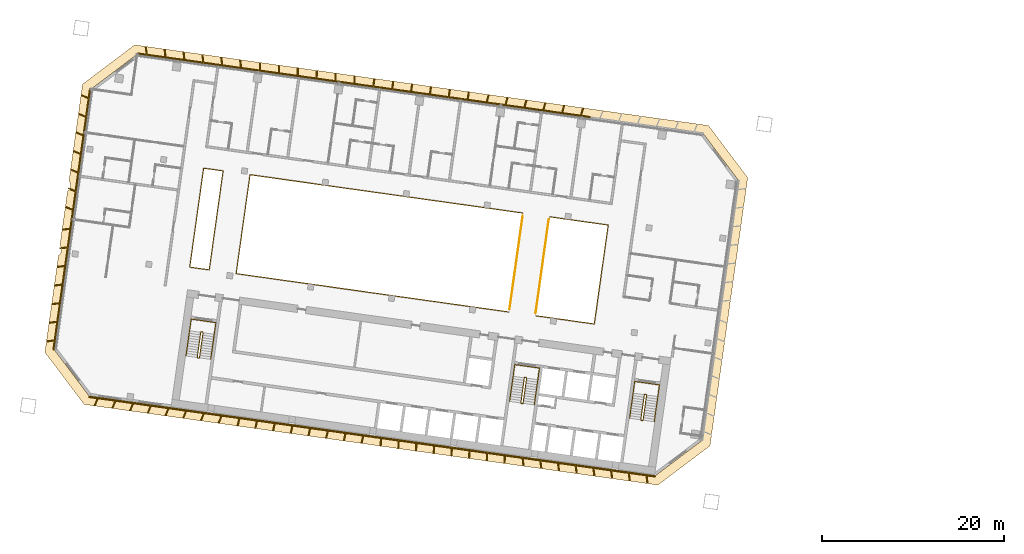
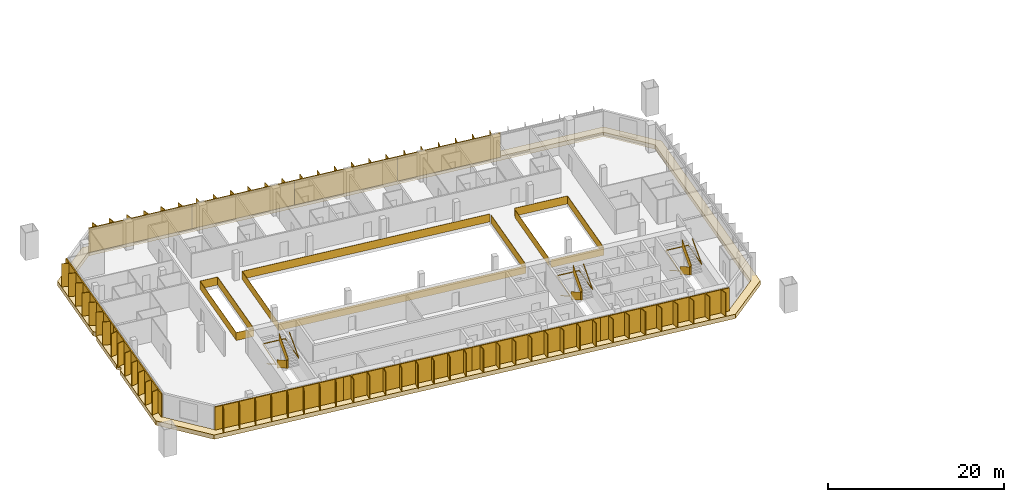
# One storey, part 24 of 26: 11 railings, 10 shading devices, 1 covering.
"""IFC4 building model written with IfcOpenShell, lengths in metres."""

from ifc_helpers import new_model, si_unit, direction, frame, origin, origin_2d, place, context, subcontext, project, spatial, polyline, rectangle, outline, extrude, material, layer, layer_set, type_object, element, save


model = new_model("IFC4")

# Units and contexts
model_context = context("Model", 3, precision=1e-05, world=origin(), true_north=direction((0.0, 1.0)))
body_context = subcontext(model_context, "Body", "Model", "MODEL_VIEW")
ifc_project = project(units=[si_unit("LENGTHUNIT", "METRE"), si_unit("AREAUNIT", "SQUARE_METRE"), si_unit("VOLUMEUNIT", "CUBIC_METRE"), si_unit("PLANEANGLEUNIT", "RADIAN"), si_unit("MASSUNIT", "GRAM", prefix="KILO")], contexts=[model_context])

# Site, building, storey
site_placement = place(None, origin())
site = spatial("IfcSite", under=ifc_project, at=site_placement, CompositionType="ELEMENT")
building_placement = place(site_placement, origin())
building = spatial("IfcBuilding", under=site, at=building_placement, Name="Mirante Cascada Hotel Towers", CompositionType="ELEMENT")
storey_placement = place(building_placement, frame((0.0, 0.0, 140.5)))
storey = spatial("IfcBuildingStorey", under=building, at=storey_placement, Name="L32", CompositionType="ELEMENT", Elevation=140.5)

# Railings
ifc_material_1 = material(Name="Toughened glass with stainless steel handrail", Category="steel")
railing_type_1 = type_object("IfcRailingType", Name="Atrium guard 1100 glass balustrade", PredefinedType="GUARDRAIL", material=ifc_material_1)
railing_1_placement = place(storey_placement, frame((-48.76, 8.3112, 0.0)))
element("IfcRailing", 1, at=railing_1_placement, inside=storey, type_object=railing_type_1, Name="GUARD 1-L32-1", PredefinedType="GUARDRAIL", context=body_context, shape_type="SweptSolid", body=[
    extrude(rectangle(XDim=0.048, YDim=0.048, at=origin_2d()), frame((0.0, 0.0, 1.076), z_axis=(0.9902694, -0.1391638, 0.0), x_axis=(0.1391638, 0.9902694, 0.0)), (0.0, 0.0, 1.0), 6.5125),
    extrude(rectangle(XDim=0.02, YDim=1.052, at=origin_2d()), frame((0.0, 0.0, 0.526), z_axis=(0.9902694, -0.1391638, 0.0), x_axis=(0.1391638, 0.9902694, 0.0)), (0.0, 0.0, 1.0), 6.5125),
    extrude(rectangle(XDim=0.048, YDim=0.048, at=origin_2d()), frame((6.4491, -0.9063, 1.076), z_axis=(-0.1391721, -0.9902682, 0.0), x_axis=(0.9902682, -0.1391721, 0.0)), (0.0, 0.0, 1.0), 11.0001),
    extrude(rectangle(XDim=0.02, YDim=1.052, at=origin_2d()), frame((6.4491, -0.9063, 0.526), z_axis=(-0.1391721, -0.9902682, 0.0), x_axis=(0.9902682, -0.1391721, 0.0)), (0.0, 0.0, 1.0), 11.0001),
    extrude(rectangle(XDim=0.048, YDim=0.048, at=origin_2d()), frame((4.9182, -11.7993, 1.076), z_axis=(-0.9902673, 0.1391788, 0.0), x_axis=(-0.1391788, -0.9902673, 0.0)), (0.0, 0.0, 1.0), 6.5125),
    extrude(rectangle(XDim=0.02, YDim=1.052, at=origin_2d()), frame((4.9182, -11.7993, 0.526), z_axis=(-0.9902673, 0.1391788, 0.0), x_axis=(-0.1391788, -0.9902673, 0.0)), (0.0, 0.0, 1.0), 6.5125),
])
railing_2_placement = place(storey_placement, frame((-53.2617, -2.1642, 0.0)))
element("IfcRailing", 2, at=railing_2_placement, inside=storey, type_object=railing_type_1, Name="GUARD 1-L32-2", PredefinedType="GUARDRAIL", context=body_context, shape_type="SweptSolid", body=[
    extrude(rectangle(XDim=0.048, YDim=0.048, at=origin_2d()), frame((0.0, 0.0, 1.076), z_axis=(-0.9902682, 0.1391722, 0.0), x_axis=(-0.1391722, -0.9902682, 0.0)), (0.0, 0.0, 1.0), 30.325),
    extrude(rectangle(XDim=0.02, YDim=1.052, at=origin_2d()), frame((0.0, 0.0, 0.526), z_axis=(-0.9902682, 0.1391722, 0.0), x_axis=(-0.1391722, -0.9902682, 0.0)), (0.0, 0.0, 1.0), 30.325),
    extrude(rectangle(XDim=0.048, YDim=0.048, at=origin_2d()), frame((-30.0299, 4.2204, 1.076), z_axis=(0.1391721, 0.9902682, 0.0), x_axis=(-0.9902682, 0.1391721, 0.0)), (0.0, 0.0, 1.0), 11.0001),
    extrude(rectangle(XDim=0.02, YDim=1.052, at=origin_2d()), frame((-30.0299, 4.2204, 0.526), z_axis=(0.1391721, 0.9902682, 0.0), x_axis=(-0.9902682, 0.1391721, 0.0)), (0.0, 0.0, 1.0), 11.0001),
    extrude(rectangle(XDim=0.048, YDim=0.048, at=origin_2d()), frame((-28.499, 15.1134, 1.076), z_axis=(0.9902682, -0.1391722, 0.0), x_axis=(0.1391722, 0.9902682, 0.0)), (0.0, 0.0, 1.0), 30.325),
    extrude(rectangle(XDim=0.02, YDim=1.052, at=origin_2d()), frame((-28.499, 15.1134, 0.526), z_axis=(0.9902682, -0.1391722, 0.0), x_axis=(0.1391722, 0.9902682, 0.0)), (0.0, 0.0, 1.0), 30.325),
])
railing_3_placement = place(storey_placement, frame((-86.2624, 2.4738, 0.0)))
element("IfcRailing", 3, at=railing_3_placement, inside=storey, type_object=railing_type_1, Name="GUARD 1-L32-3", PredefinedType="GUARDRAIL", context=body_context, shape_type="SweptSolid", body=[
    extrude(rectangle(XDim=0.048, YDim=0.048, at=origin_2d()), frame((0.0, 0.0, 1.076), z_axis=(-0.9902724, 0.1391422, 0.0), x_axis=(-0.1391422, -0.9902724, 0.0)), (0.0, 0.0, 1.0), 2.1625),
    extrude(rectangle(XDim=0.02, YDim=1.052, at=origin_2d()), frame((0.0, 0.0, 0.526), z_axis=(-0.9902724, 0.1391422, 0.0), x_axis=(-0.1391422, -0.9902724, 0.0)), (0.0, 0.0, 1.0), 2.1625),
    extrude(rectangle(XDim=0.048, YDim=0.048, at=origin_2d()), frame((-2.1415, 0.3009, 1.076), z_axis=(0.1391721, 0.9902682, 0.0), x_axis=(-0.9902682, 0.1391721, 0.0)), (0.0, 0.0, 1.0), 11.0001),
    extrude(rectangle(XDim=0.02, YDim=1.052, at=origin_2d()), frame((-2.1415, 0.3009, 0.526), z_axis=(0.1391721, 0.9902682, 0.0), x_axis=(-0.9902682, 0.1391721, 0.0)), (0.0, 0.0, 1.0), 11.0001),
    extrude(rectangle(XDim=0.048, YDim=0.048, at=origin_2d()), frame((-0.6106, 11.1939, 1.076), z_axis=(0.990266, -0.1391875, 0.0), x_axis=(0.1391875, 0.990266, 0.0)), (0.0, 0.0, 1.0), 2.1626),
    extrude(rectangle(XDim=0.02, YDim=1.052, at=origin_2d()), frame((-0.6106, 11.1939, 0.526), z_axis=(0.990266, -0.1391875, 0.0), x_axis=(0.1391875, 0.990266, 0.0)), (0.0, 0.0, 1.0), 2.1626),
    extrude(rectangle(XDim=0.048, YDim=0.048, at=origin_2d()), frame((1.5309, 10.8929, 1.076), z_axis=(-0.1391733, -0.990268, 0.0), x_axis=(0.990268, -0.1391733, 0.0)), (0.0, 0.0, 1.0), 11.0),
    extrude(rectangle(XDim=0.02, YDim=1.052, at=origin_2d()), frame((1.5309, 10.8929, 0.526), z_axis=(-0.1391733, -0.990268, 0.0), x_axis=(0.990268, -0.1391733, 0.0)), (0.0, 0.0, 1.0), 11.0),
])
railing_4_placement = place(storey_placement, frame((-53.172, -1.8782, 0.0)))
element("IfcRailing", 4, at=railing_4_placement, inside=storey, type_object=railing_type_1, Name="GUARD 1-L32-4", PredefinedType="GUARDRAIL", context=body_context, shape_type="SweptSolid", body=[
    extrude(rectangle(XDim=0.048, YDim=0.048, at=origin_2d()), frame((0.0, 0.0, 1.076), z_axis=(0.1391721, 0.9902682, 0.0), x_axis=(-0.9902682, 0.1391721, 0.0)), (0.0, 0.0, 1.0), 10.4087),
    extrude(rectangle(XDim=0.02, YDim=1.052, at=origin_2d()), frame((0.0, 0.0, 0.526), z_axis=(0.1391721, 0.9902682, 0.0), x_axis=(-0.9902682, 0.1391721, 0.0)), (0.0, 0.0, 1.0), 10.4087),
])
railing_5_placement = place(storey_placement, frame((-48.8497, 8.0253, 0.0)))
element("IfcRailing", 5, at=railing_5_placement, inside=storey, type_object=railing_type_1, Name="GUARD 1-L32-5", PredefinedType="GUARDRAIL", context=body_context, shape_type="SweptSolid", body=[
    extrude(rectangle(XDim=0.048, YDim=0.048, at=origin_2d()), frame((0.0, 0.0, 1.076), z_axis=(-0.1391708, -0.9902684, 0.0), x_axis=(0.9902684, -0.1391708, 0.0)), (0.0, 0.0, 1.0), 10.4088),
    extrude(rectangle(XDim=0.02, YDim=1.052, at=origin_2d()), frame((0.0, 0.0, 0.526), z_axis=(-0.1391708, -0.9902684, 0.0), x_axis=(0.9902684, -0.1391708, 0.0)), (0.0, 0.0, 1.0), 10.4088),
])

# Covering
ifc_material_2 = material(Name="Precast concrete C40/50 white", Category="concrete")
ifc_layer = layer(ifc_material_2, 0.6)
ifc_layer_set = layer_set([ifc_layer], Name="Precast concrete SUNSHADE band 1000x600")
covering_type = type_object("IfcCoveringType", Name="Precast concrete SUNSHADE band 1000x600", PredefinedType="CLADDING", material=ifc_layer_set)
covering_placement = place(storey_placement, frame((0.0, 0.0, -0.45)))
element("IfcCovering", 6, at=covering_placement, inside=storey, type_object=covering_type, Name="Precast concrete SUNSHADE band T1 L32", PredefinedType="CLADDING", context=body_context, shape_type="SweptSolid", body=[
    extrude(outline(polyline([(-104.3652, -6.6094), (-102.8625, 4.0834), (-102.8524, 4.0871), (-102.8101, 4.1077), (-102.7699, 4.1324), (-102.7324, 4.1609), (-102.6979, 4.1929), (-102.6667, 4.2282), (-102.639, 4.2664), (-102.6153, 4.307), (-102.5956, 4.3498), (-102.5803, 4.3944), (-102.5694, 4.4402), (-102.5257, 4.6737), (-102.5193, 4.7204), (-102.5176, 4.7674), (-102.5204, 4.8144), (-102.5279, 4.861), (-102.5398, 4.9065), (-102.5562, 4.9507), (-102.5768, 4.993), (-102.6015, 5.0332), (-102.63, 5.0707), (-102.662, 5.1052), (-102.6973, 5.1364), (-102.7129, 5.1477), (-101.8663, 11.1716), (-101.8482, 11.1781), (-101.8057, 11.1984), (-101.7654, 11.2228), (-101.7277, 11.251), (-101.6929, 11.2828), (-101.6614, 11.3178), (-101.6335, 11.3557), (-101.6094, 11.3962), (-101.5894, 11.4389), (-101.5737, 11.4833), (-101.5624, 11.529), (-101.5557, 11.5756), (-101.5333, 11.8121), (-101.5312, 11.8592), (-101.5337, 11.9062), (-101.5407, 11.9528), (-101.5524, 11.9984), (-101.5684, 12.0427), (-101.5887, 12.0852), (-101.6131, 12.1255), (-101.6413, 12.1633), (-101.673, 12.198), (-101.7081, 12.2295), (-101.7167, 12.2359), (-100.2139, 22.9287), (-94.4698, 27.2572), (-31.2626, 18.374), (-26.9341, 12.6299), (-31.0854, -16.9082), (-36.8295, -21.2367), (-100.0367, -12.3535), (-104.3652, -6.6094)]), holes=[polyline([(-27.982, 12.3589), (-31.8119, 17.4414), (-94.1988, 26.2093), (-99.2813, 22.3794), (-103.3173, -6.3384), (-99.4874, -11.4209), (-37.1005, -20.1888), (-32.018, -16.3589), (-27.982, 12.3589)])]), origin(), (0.0, 0.0, 1.0), 0.6),
])

# Railings
ifc_material_3 = material(Name="Painted steel", Category="steel")
railing_type_2 = type_object("IfcRailingType", Name="Stair guard 1100 steel balustrade", PredefinedType="GUARDRAIL", material=ifc_material_3)
railing_6_placement = place(storey_placement, frame((-38.1178, -11.2603, 0.0)))
element("IfcRailing", 7, at=railing_6_placement, inside=storey, type_object=railing_type_2, Name="L32 ST1-A stair guard 1", PredefinedType="GUARDRAIL", context=body_context, shape_type="SweptSolid", body=[
    extrude(rectangle(XDim=0.048, YDim=0.048, at=origin_2d()), frame((0.0, 0.0, 1.076), z_axis=(-0.9903326, 0.1387133, 0.0), x_axis=(-0.1387133, -0.9903326, 0.0)), (0.0, 0.0, 1.0), 0.1499),
    extrude(rectangle(XDim=0.02, YDim=1.052, at=origin_2d()), frame((0.0, 0.0, 0.526), z_axis=(-0.9903326, 0.1387133, 0.0), x_axis=(-0.1387133, -0.9903326, 0.0)), (0.0, 0.0, 1.0), 0.1499),
    extrude(rectangle(XDim=0.048, YDim=0.048, at=origin_2d()), frame((-0.1485, 0.0208, 1.076), z_axis=(-0.7991505, -0.6011309, 0.0), x_axis=(0.6011309, -0.7991505, 0.0)), (0.0, 0.9254529, 0.3788627), 0.1866),
    extrude(rectangle(XDim=0.02, YDim=1.052, at=origin_2d()), frame((-0.1485, 0.0208, 0.526), z_axis=(-0.7991505, -0.6011309, 0.0), x_axis=(0.6011309, -0.7991505, 0.0)), (0.0, 0.9254529, 0.3788627), 0.1866),
    extrude(rectangle(XDim=0.048, YDim=0.048, at=origin_2d()), frame((-0.205, -0.0217, 1.2487), z_axis=(-0.139176, -0.9902677, 0.0), x_axis=(0.9902677, -0.139176, 0.0)), (0.0, 0.5250212, 0.8510891), 3.29),
    extrude(rectangle(XDim=0.02, YDim=1.052, at=origin_2d()), frame((-0.205, -0.0217, 0.6987), z_axis=(-0.139176, -0.9902677, 0.0), x_axis=(0.9902677, -0.139176, 0.0)), (0.0, 0.5250212, 0.8510891), 3.29),
    extrude(rectangle(XDim=0.048, YDim=0.048, at=origin_2d()), frame((-0.5947, -2.7945, 2.976), z_axis=(0.9270311, -0.3749843, 0.0), x_axis=(0.3749843, 0.9270311, 0.0)), (0.0, 0.0, 1.0), 0.2061),
    extrude(rectangle(XDim=0.02, YDim=1.052, at=origin_2d()), frame((-0.5947, -2.7945, 2.426), z_axis=(0.9270311, -0.3749843, 0.0), x_axis=(0.3749843, 0.9270311, 0.0)), (0.0, 0.0, 1.0), 0.2061),
    extrude(rectangle(XDim=0.048, YDim=0.048, at=origin_2d()), frame((-0.4036, -2.8718, 2.976), z_axis=(-0.9902408, 0.1393672, 0.0), x_axis=(-0.1393672, -0.9902408, 0.0)), (0.0, 0.0, 1.0), 0.15),
    extrude(rectangle(XDim=0.02, YDim=1.052, at=origin_2d()), frame((-0.4036, -2.8718, 2.426), z_axis=(-0.9902408, 0.1393672, 0.0), x_axis=(-0.1393672, -0.9902408, 0.0)), (0.0, 0.0, 1.0), 0.15),
    extrude(rectangle(XDim=0.048, YDim=0.048, at=origin_2d()), frame((-0.5521, -2.8509, 2.976), z_axis=(0.9944948, 0.1047858, 0.0), x_axis=(-0.1047858, 0.9944948, 0.0)), (0.0, 0.6422034, 0.7665343), 0.2689),
    extrude(rectangle(XDim=0.02, YDim=1.052, at=origin_2d()), frame((-0.5521, -2.8509, 2.426), z_axis=(0.9944948, 0.1047858, 0.0), x_axis=(-0.1047858, 0.9944948, 0.0)), (0.0, 0.6422034, 0.7665343), 0.2689),
    extrude(rectangle(XDim=0.048, YDim=0.048, at=origin_2d()), frame((-0.3471, -2.8293, 3.1487), z_axis=(0.139176, 0.9902677, 0.0), x_axis=(-0.9902677, 0.139176, 0.0)), (0.0, 0.5250212, 0.8510891), 3.29),
    extrude(rectangle(XDim=0.02, YDim=1.052, at=origin_2d()), frame((-0.3471, -2.8293, 2.5987), z_axis=(0.139176, 0.9902677, 0.0), x_axis=(-0.9902677, 0.139176, 0.0)), (0.0, 0.5250212, 0.8510891), 3.29),
])
railing_7_placement = place(storey_placement, frame((-51.3379, -9.4024, 0.0)))
element("IfcRailing", 8, at=railing_7_placement, inside=storey, type_object=railing_type_2, Name="L32 ST1-B stair guard 1", PredefinedType="GUARDRAIL", context=body_context, shape_type="SweptSolid", body=[
    extrude(rectangle(XDim=0.048, YDim=0.048, at=origin_2d()), frame((0.0, 0.0, 1.076), z_axis=(-0.9902408, 0.1393672, 0.0), x_axis=(-0.1393672, -0.9902408, 0.0)), (0.0, 0.0, 1.0), 0.15),
    extrude(rectangle(XDim=0.02, YDim=1.052, at=origin_2d()), frame((0.0, 0.0, 0.526), z_axis=(-0.9902408, 0.1393672, 0.0), x_axis=(-0.1393672, -0.9902408, 0.0)), (0.0, 0.0, 1.0), 0.15),
    extrude(rectangle(XDim=0.048, YDim=0.048, at=origin_2d()), frame((-0.1485, 0.0209, 1.076), z_axis=(-0.7984711, -0.6020331, 0.0), x_axis=(0.6020331, -0.7984711, 0.0)), (0.0, 0.9253398, 0.3791387), 0.1866),
    extrude(rectangle(XDim=0.02, YDim=1.052, at=origin_2d()), frame((-0.1485, 0.0209, 0.526), z_axis=(-0.7984711, -0.6020331, 0.0), x_axis=(0.6020331, -0.7984711, 0.0)), (0.0, 0.9253398, 0.3791387), 0.1866),
    extrude(rectangle(XDim=0.048, YDim=0.048, at=origin_2d()), frame((-0.205, -0.0217, 1.2487), z_axis=(-0.139181, -0.990267, 0.0), x_axis=(0.990267, -0.139181, 0.0)), (0.0, 0.5250347, 0.8510808), 3.2899),
    extrude(rectangle(XDim=0.02, YDim=1.052, at=origin_2d()), frame((-0.205, -0.0217, 0.6987), z_axis=(-0.139181, -0.990267, 0.0), x_axis=(0.990267, -0.139181, 0.0)), (0.0, 0.5250347, 0.8510808), 3.2899),
    extrude(rectangle(XDim=0.048, YDim=0.048, at=origin_2d()), frame((-0.5947, -2.7944, 2.976), z_axis=(0.9268624, -0.3754011, 0.0), x_axis=(0.3754011, 0.9268624, 0.0)), (0.0, 0.0, 1.0), 0.2062),
    extrude(rectangle(XDim=0.02, YDim=1.052, at=origin_2d()), frame((-0.5947, -2.7944, 2.426), z_axis=(0.9268624, -0.3754011, 0.0), x_axis=(0.3754011, 0.9268624, 0.0)), (0.0, 0.0, 1.0), 0.2062),
    extrude(rectangle(XDim=0.048, YDim=0.048, at=origin_2d()), frame((-0.4036, -2.8718, 2.976), z_axis=(-0.9902408, 0.1393672, 0.0), x_axis=(-0.1393672, -0.9902408, 0.0)), (0.0, 0.0, 1.0), 0.15),
    extrude(rectangle(XDim=0.02, YDim=1.052, at=origin_2d()), frame((-0.4036, -2.8718, 2.426), z_axis=(-0.9902408, 0.1393672, 0.0), x_axis=(-0.1393672, -0.9902408, 0.0)), (0.0, 0.0, 1.0), 0.15),
    extrude(rectangle(XDim=0.048, YDim=0.048, at=origin_2d()), frame((-0.5521, -2.8509, 2.976), z_axis=(0.9944441, 0.1052656, 0.0), x_axis=(-0.1052656, 0.9944441, 0.0)), (0.0, 0.6421842, 0.7665504), 0.2689),
    extrude(rectangle(XDim=0.02, YDim=1.052, at=origin_2d()), frame((-0.5521, -2.8509, 2.426), z_axis=(0.9944441, 0.1052656, 0.0), x_axis=(-0.1052656, 0.9944441, 0.0)), (0.0, 0.6421842, 0.7665504), 0.2689),
    extrude(rectangle(XDim=0.048, YDim=0.048, at=origin_2d()), frame((-0.3471, -2.8292, 3.1487), z_axis=(0.139181, 0.990267, 0.0), x_axis=(-0.990267, 0.139181, 0.0)), (0.0, 0.5250347, 0.8510808), 3.2899),
    extrude(rectangle(XDim=0.02, YDim=1.052, at=origin_2d()), frame((-0.3471, -2.8292, 2.5987), z_axis=(0.139181, 0.990267, 0.0), x_axis=(-0.990267, 0.139181, 0.0)), (0.0, 0.5250347, 0.8510808), 3.2899),
])
railing_8_placement = place(storey_placement, frame((-86.9875, -4.3922, 0.0)))
element("IfcRailing", 9, at=railing_8_placement, inside=storey, type_object=railing_type_2, Name="L32 ST1-C stair guard 1", PredefinedType="GUARDRAIL", context=body_context, shape_type="SweptSolid", body=[
    extrude(rectangle(XDim=0.048, YDim=0.048, at=origin_2d()), frame((0.0, 0.0, 1.076), z_axis=(-0.9902537, 0.1392753, 0.0), x_axis=(-0.1392753, -0.9902537, 0.0)), (0.0, 0.0, 1.0), 0.1501),
    extrude(rectangle(XDim=0.02, YDim=1.052, at=origin_2d()), frame((0.0, 0.0, 0.526), z_axis=(-0.9902537, 0.1392753, 0.0), x_axis=(-0.1392753, -0.9902537, 0.0)), (0.0, 0.0, 1.0), 0.1501),
    extrude(rectangle(XDim=0.048, YDim=0.048, at=origin_2d()), frame((-0.1486, 0.0209, 1.076), z_axis=(-0.7986386, -0.601811, 0.0), x_axis=(0.601811, -0.7986386, 0.0)), (0.0, 0.925603, 0.3784959), 0.1866),
    extrude(rectangle(XDim=0.02, YDim=1.052, at=origin_2d()), frame((-0.1486, 0.0209, 0.526), z_axis=(-0.7986386, -0.601811, 0.0), x_axis=(0.601811, -0.7986386, 0.0)), (0.0, 0.925603, 0.3784959), 0.1866),
    extrude(rectangle(XDim=0.048, YDim=0.048, at=origin_2d()), frame((-0.205, -0.0216, 1.2487), z_axis=(-0.139176, -0.9902677, 0.0), x_axis=(0.9902677, -0.139176, 0.0)), (0.0, 0.5250212, 0.8510891), 3.29),
    extrude(rectangle(XDim=0.02, YDim=1.052, at=origin_2d()), frame((-0.205, -0.0216, 0.6987), z_axis=(-0.139176, -0.9902677, 0.0), x_axis=(0.9902677, -0.139176, 0.0)), (0.0, 0.5250212, 0.8510891), 3.29),
    extrude(rectangle(XDim=0.048, YDim=0.048, at=origin_2d()), frame((-0.5947, -2.7944, 2.976), z_axis=(0.9270311, -0.3749843, 0.0), x_axis=(0.3749843, 0.9270311, 0.0)), (0.0, 0.0, 1.0), 0.2061),
    extrude(rectangle(XDim=0.02, YDim=1.052, at=origin_2d()), frame((-0.5947, -2.7944, 2.426), z_axis=(0.9270311, -0.3749843, 0.0), x_axis=(0.3749843, 0.9270311, 0.0)), (0.0, 0.0, 1.0), 0.2061),
    extrude(rectangle(XDim=0.048, YDim=0.048, at=origin_2d()), frame((-0.4036, -2.8717, 2.976), z_axis=(-0.9903454, 0.1386217, 0.0), x_axis=(-0.1386217, -0.9903454, 0.0)), (0.0, 0.0, 1.0), 0.15),
    extrude(rectangle(XDim=0.02, YDim=1.052, at=origin_2d()), frame((-0.4036, -2.8717, 2.426), z_axis=(-0.9903454, 0.1386217, 0.0), x_axis=(-0.1386217, -0.9903454, 0.0)), (0.0, 0.0, 1.0), 0.15),
    extrude(rectangle(XDim=0.048, YDim=0.048, at=origin_2d()), frame((-0.5522, -2.8509, 2.976), z_axis=(0.9944441, 0.1052656, 0.0), x_axis=(-0.1052656, 0.9944441, 0.0)), (0.0, 0.6421842, 0.7665504), 0.2689),
    extrude(rectangle(XDim=0.02, YDim=1.052, at=origin_2d()), frame((-0.5522, -2.8509, 2.426), z_axis=(0.9944441, 0.1052656, 0.0), x_axis=(-0.1052656, 0.9944441, 0.0)), (0.0, 0.6421842, 0.7665504), 0.2689),
    extrude(rectangle(XDim=0.048, YDim=0.048, at=origin_2d()), frame((-0.3472, -2.8292, 3.1487), z_axis=(0.139176, 0.9902677, 0.0), x_axis=(-0.9902677, 0.139176, 0.0)), (0.0, 0.5250212, 0.8510891), 3.29),
    extrude(rectangle(XDim=0.02, YDim=1.052, at=origin_2d()), frame((-0.3472, -2.8292, 2.5987), z_axis=(0.139176, 0.9902677, 0.0), x_axis=(-0.9902677, 0.139176, 0.0)), (0.0, 0.5250212, 0.8510891), 3.29),
])
ifc_material_4 = material(Name="Painted steel", Category="steel")
railing_type_3 = type_object("IfcRailingType", Name="Stair handrail 900 steel tube", PredefinedType="HANDRAIL", material=ifc_material_4)
railing_9_placement = place(storey_placement, frame((-39.5606, -11.1081, 0.1727)))
element("IfcRailing", 10, at=railing_9_placement, inside=storey, type_object=railing_type_3, Name="L32 ST1-A stair handrail 1", PredefinedType="HANDRAIL", context=body_context, shape_type="SweptSolid", body=[
    extrude(rectangle(XDim=0.048, YDim=0.048, at=origin_2d()), frame((0.0, 0.0, 0.876), z_axis=(-0.139181, -0.990267, 0.0), x_axis=(0.990267, -0.139181, 0.0)), (0.0, 0.5250347, 0.8510808), 3.2899),
    extrude(rectangle(XDim=0.048, YDim=0.048, at=origin_2d()), frame((-0.3897, -2.7727, 2.6033), z_axis=(0.1391707, 0.9902684, 0.0), x_axis=(-0.9902684, 0.1391707, 0.0)), (0.0, 0.0420846, 0.999114), 4.1036),
    extrude(rectangle(XDim=0.048, YDim=0.048, at=origin_2d()), frame((0.1809, 1.2874, 2.776), z_axis=(0.9902691, -0.1391657, 0.0), x_axis=(0.1391657, 0.9902691, 0.0)), (0.0, 0.0, 1.0), 2.75),
    extrude(rectangle(XDim=0.048, YDim=0.048, at=origin_2d()), frame((2.9041, 0.9047, 2.776), z_axis=(-0.1391707, -0.9902684, 0.0), x_axis=(0.9902684, -0.1391707, 0.0)), (0.0, 0.0, 1.0), 4.1),
    extrude(rectangle(XDim=0.048, YDim=0.048, at=origin_2d()), frame((2.3335, -3.1554, 2.776), z_axis=(0.139181, 0.990267, 0.0), x_axis=(-0.990267, 0.139181, 0.0)), (0.0, 0.5250347, 0.8510808), 3.2899),
])
railing_10_placement = place(storey_placement, frame((-52.7807, -9.2501, 0.1727)))
element("IfcRailing", 11, at=railing_10_placement, inside=storey, type_object=railing_type_3, Name="L32 ST1-B stair handrail 1", PredefinedType="HANDRAIL", context=body_context, shape_type="SweptSolid", body=[
    extrude(rectangle(XDim=0.048, YDim=0.048, at=origin_2d()), frame((0.0, 0.0, 0.876), z_axis=(-0.139181, -0.990267, 0.0), x_axis=(0.990267, -0.139181, 0.0)), (0.0, 0.5250347, 0.8510808), 3.2899),
    extrude(rectangle(XDim=0.048, YDim=0.048, at=origin_2d()), frame((-0.3897, -2.7727, 2.6033), z_axis=(0.1391707, 0.9902684, 0.0), x_axis=(-0.9902684, 0.1391707, 0.0)), (0.0, 0.0420846, 0.999114), 4.1036),
    extrude(rectangle(XDim=0.048, YDim=0.048, at=origin_2d()), frame((0.1809, 1.2874, 2.776), z_axis=(0.9902641, -0.1392013, 0.0), x_axis=(0.1392013, 0.9902641, 0.0)), (0.0, 0.0, 1.0), 2.75),
    extrude(rectangle(XDim=0.048, YDim=0.048, at=origin_2d()), frame((2.9041, 0.9046, 2.776), z_axis=(-0.1391707, -0.9902684, 0.0), x_axis=(0.9902684, -0.1391707, 0.0)), (0.0, 0.0, 1.0), 4.1),
    extrude(rectangle(XDim=0.048, YDim=0.048, at=origin_2d()), frame((2.3335, -3.1555, 2.776), z_axis=(0.139176, 0.9902677, 0.0), x_axis=(-0.9902677, 0.139176, 0.0)), (0.0, 0.5250212, 0.8510891), 3.29),
])
railing_11_placement = place(storey_placement, frame((-88.4304, -4.2399, 0.1727)))
element("IfcRailing", 12, at=railing_11_placement, inside=storey, type_object=railing_type_3, Name="L32 ST1-C stair handrail 1", PredefinedType="HANDRAIL", context=body_context, shape_type="SweptSolid", body=[
    extrude(rectangle(XDim=0.048, YDim=0.048, at=origin_2d()), frame((0.0, 0.0, 0.876), z_axis=(-0.139181, -0.990267, 0.0), x_axis=(0.990267, -0.139181, 0.0)), (0.0, 0.5250347, 0.8510808), 3.2899),
    extrude(rectangle(XDim=0.048, YDim=0.048, at=origin_2d()), frame((-0.3897, -2.7727, 2.6033), z_axis=(0.1391947, 0.990265, 0.0), x_axis=(-0.990265, 0.1391947, 0.0)), (0.0, 0.0420845, 0.9991141), 4.1036),
    extrude(rectangle(XDim=0.048, YDim=0.048, at=origin_2d()), frame((0.181, 1.2874, 2.776), z_axis=(0.9902691, -0.1391657, 0.0), x_axis=(0.1391657, 0.9902691, 0.0)), (0.0, 0.0, 1.0), 2.75),
    extrude(rectangle(XDim=0.048, YDim=0.048, at=origin_2d()), frame((2.9042, 0.9047, 2.776), z_axis=(-0.1391707, -0.9902684, 0.0), x_axis=(0.9902684, -0.1391707, 0.0)), (0.0, 0.0, 1.0), 4.1),
    extrude(rectangle(XDim=0.048, YDim=0.048, at=origin_2d()), frame((2.3336, -3.1554, 2.776), z_axis=(0.139181, 0.990267, 0.0), x_axis=(-0.990267, 0.139181, 0.0)), (0.0, 0.5250347, 0.8510808), 3.2899),
])

# Shading devices
ifc_material_5 = material(Name="White precast concrete C50/60 fin", Category="concrete")
shading_device_type = type_object("IfcShadingDeviceType", Name="Vertical fin set 4500x900", PredefinedType="USERDEFINED", material=ifc_material_5)
shading_device_1_placement = place(storey_placement, origin())
element("IfcShadingDevice", 13, at=shading_device_1_placement, inside=storey, type_object=shading_device_type, Name="FIN T1 L32 front 1", ObjectType="FIN", PredefinedType="USERDEFINED", context=body_context, shape_type="SweptSolid", body=[
    extrude(outline(polyline([(-82.8173, 25.599), (-82.7126, 24.7465), (-81.7006, 24.6042), (-81.7214, 24.4557), (-94.1988, 26.2093), (-94.1779, 26.3578), (-93.1924, 26.2193), (-93.2945, 27.0506), (-93.2151, 27.0603), (-93.1104, 26.2078), (-91.1129, 25.9271), (-91.2149, 26.7583), (-91.1355, 26.7681), (-91.0308, 25.9155), (-89.0333, 25.6348), (-89.1354, 26.4661), (-89.056, 26.4758), (-88.9513, 25.6233), (-86.9537, 25.3425), (-87.0558, 26.1738), (-86.9764, 26.1835), (-86.8717, 25.331), (-84.8742, 25.0503), (-84.9762, 25.8815), (-84.8968, 25.8913), (-84.7922, 25.0387), (-82.7946, 24.758), (-82.8967, 25.5893), (-82.8173, 25.599)])), origin(), (0.0, 0.0, 1.0), 3.35),
])
shading_device_2_placement = place(storey_placement, origin())
element("IfcShadingDevice", 14, at=shading_device_2_placement, inside=storey, type_object=shading_device_type, Name="FIN T1 L32 front 2", ObjectType="FIN", PredefinedType="USERDEFINED", context=body_context, shape_type="SweptSolid", body=[
    extrude(outline(polyline([(-70.2221, 23.8469), (-70.2295, 22.9921), (-69.2232, 22.8507), (-69.2441, 22.7021), (-81.7214, 24.4557), (-81.7006, 24.6042), (-80.7072, 24.4646), (-80.6999, 25.3089), (-80.6199, 25.3082), (-80.6273, 24.4534), (-78.6277, 24.1724), (-78.6203, 25.0166), (-78.5403, 25.0159), (-78.5478, 24.1611), (-76.5481, 23.8801), (-76.5407, 24.7244), (-76.4608, 24.7237), (-76.4682, 23.8689), (-74.4686, 23.5878), (-74.4612, 24.4321), (-74.3812, 24.4314), (-74.3886, 23.5766), (-72.389, 23.2956), (-72.3816, 24.1399), (-72.3016, 24.1392), (-72.3091, 23.2844), (-70.3094, 23.0033), (-70.3021, 23.8476), (-70.2221, 23.8469)])), origin(), (0.0, 0.0, 1.0), 3.35),
])
shading_device_3_placement = place(storey_placement, origin())
element("IfcShadingDevice", 15, at=shading_device_3_placement, inside=storey, type_object=shading_device_type, Name="FIN T1 L32 front 3", ObjectType="FIN", PredefinedType="USERDEFINED", context=body_context, shape_type="SweptSolid", body=[
    extrude(outline(polyline([(-57.6277, 22.0794), (-57.746, 21.2376), (-56.7458, 21.0971), (-56.7667, 20.9485), (-69.2441, 22.7021), (-69.2232, 22.8507), (-68.223, 22.7101), (-68.1047, 23.5518), (-68.0255, 23.5407), (-68.1438, 22.699), (-66.1434, 22.4178), (-66.0251, 23.2596), (-65.9459, 23.2484), (-66.0642, 22.4067), (-64.0639, 22.1256), (-63.9456, 22.9673), (-63.8664, 22.9562), (-63.9847, 22.1144), (-61.9843, 21.8333), (-61.866, 22.675), (-61.7868, 22.6639), (-61.9051, 21.8222), (-59.9048, 21.541), (-59.7865, 22.3828), (-59.7072, 22.3716), (-59.8255, 21.5299), (-57.8252, 21.2488), (-57.7069, 22.0905), (-57.6277, 22.0794)])), origin(), (0.0, 0.0, 1.0), 3.35),
])
shading_device_4_placement = place(storey_placement, origin())
element("IfcShadingDevice", 16, at=shading_device_4_placement, inside=storey, type_object=shading_device_type, Name="FIN T1 L32 front 4", ObjectType="FIN", PredefinedType="USERDEFINED", context=body_context, shape_type="SweptSolid", body=[
    extrude(outline(polyline([(-45.0361, 20.2967), (-45.2617, 19.4831), (-44.2684, 19.3435), (-44.2893, 19.195), (-56.7667, 20.9485), (-56.7458, 21.0971), (-55.7394, 20.9556), (-55.511, 21.7794), (-55.4339, 21.758), (-55.6595, 20.9444), (-53.6599, 20.6634), (-53.4314, 21.4871), (-53.3544, 21.4657), (-53.58, 20.6521), (-51.5803, 20.3711), (-51.3519, 21.1949), (-51.2748, 21.1735), (-51.5004, 20.3599), (-49.5008, 20.0789), (-49.2723, 20.9026), (-49.1952, 20.8812), (-49.4209, 20.0676), (-47.4212, 19.7866), (-47.1928, 20.6103), (-47.1157, 20.589), (-47.3413, 19.7754), (-45.3416, 19.4943), (-45.1132, 20.3181), (-45.0361, 20.2967)])), origin(), (0.0, 0.0, 1.0), 3.35),
])
shading_device_5_placement = place(storey_placement, origin())
element("IfcShadingDevice", 17, at=shading_device_5_placement, inside=storey, type_object=shading_device_type, Name="FIN T1 L32 outer 1", ObjectType="FIN", PredefinedType="USERDEFINED", context=body_context, shape_type="SweptSolid", body=[
    extrude(outline(polyline([(-103.3178, -5.2642), (-103.041, -3.2949), (-103.8723, -3.397), (-103.8821, -3.3176), (-103.0295, -3.2129), (-102.7528, -1.2436), (-103.584, -1.3457), (-103.5938, -1.2663), (-102.7412, -1.1616), (-102.4645, 0.8076), (-103.2957, 0.7056), (-103.3055, 0.785), (-102.4529, 0.8896), (-102.1762, 2.8589), (-103.0075, 2.7568), (-103.0172, 2.8362), (-102.1647, 2.9409), (-101.8879, 4.9102), (-102.7192, 4.8081), (-102.7289, 4.8875), (-101.8764, 4.9922), (-101.5996, 6.9614), (-102.4309, 6.8594), (-102.4406, 6.9388), (-101.5881, 7.0434), (-101.4478, 8.0413), (-101.2993, 8.0205), (-103.3173, -6.3384), (-103.4659, -6.3175), (-103.3293, -5.3462), (-104.1606, -5.4483), (-104.1704, -5.3689), (-103.3178, -5.2642)])), origin(), (0.0, 0.0, 1.0), 3.35),
])
shading_device_6_placement = place(storey_placement, origin())
element("IfcShadingDevice", 18, at=shading_device_6_placement, inside=storey, type_object=shading_device_type, Name="FIN T1 L32 outer 2", ObjectType="FIN", PredefinedType="USERDEFINED", context=body_context, shape_type="SweptSolid", body=[
    extrude(outline(polyline([(-101.2961, 9.1212), (-101.0193, 11.0905), (-101.81, 11.4261), (-101.7787, 11.4998), (-101.0078, 11.1725), (-100.731, 13.1418), (-101.5217, 13.4774), (-101.4904, 13.551), (-100.7195, 13.2238), (-100.4427, 15.193), (-101.2334, 15.5287), (-101.2021, 15.6023), (-100.4312, 15.2751), (-100.1544, 17.2443), (-100.9451, 17.5799), (-100.9139, 17.6536), (-100.1429, 17.3263), (-99.8662, 19.2956), (-100.6568, 19.6312), (-100.6256, 19.7048), (-99.8546, 19.3776), (-99.5779, 21.3469), (-100.3685, 21.6825), (-100.3373, 21.7561), (-99.5663, 21.4289), (-99.4298, 22.4002), (-99.2813, 22.3794), (-101.2993, 8.0205), (-101.4478, 8.0413), (-101.3076, 9.0392), (-102.0983, 9.3749), (-102.067, 9.4485), (-101.2961, 9.1212)])), origin(), (0.0, 0.0, 1.0), 3.35),
])
shading_device_7_placement = place(storey_placement, origin())
element("IfcShadingDevice", 19, at=shading_device_7_placement, inside=storey, type_object=shading_device_type, Name="FIN T1 L32 rear 1", ObjectType="FIN", PredefinedType="USERDEFINED", context=body_context, shape_type="SweptSolid", body=[
    extrude(outline(polyline([(-38.1239, -20.1965), (-39.9915, -19.934), (-39.8894, -20.7653), (-39.9688, -20.775), (-40.0735, -19.9225), (-41.9411, -19.66), (-41.839, -20.4913), (-41.9184, -20.501), (-42.0231, -19.6485), (-43.8907, -19.386), (-43.7886, -20.2173), (-43.868, -20.227), (-43.9727, -19.3745), (-45.8403, -19.112), (-45.7382, -19.9433), (-45.8176, -19.953), (-45.9223, -19.1005), (-47.7898, -18.838), (-47.6878, -19.6693), (-47.7672, -19.679), (-47.8719, -18.8265), (-49.7394, -18.564), (-49.6374, -19.3953), (-49.7168, -19.405), (-49.8214, -18.5525), (-51.689, -18.29), (-51.587, -19.1213), (-51.6664, -19.131), (-51.771, -18.2785), (-52.7181, -18.1454), (-52.6972, -17.9968), (-37.1005, -20.1888), (-37.1214, -20.3374), (-38.0419, -20.208), (-37.9398, -21.0393), (-38.0192, -21.049), (-38.1239, -20.1965)])), origin(), (0.0, 0.0, 1.0), 3.35),
])
shading_device_8_placement = place(storey_placement, origin())
element("IfcShadingDevice", 20, at=shading_device_8_placement, inside=storey, type_object=shading_device_type, Name="FIN T1 L32 rear 2", ObjectType="FIN", PredefinedType="USERDEFINED", context=body_context, shape_type="SweptSolid", body=[
    extrude(outline(polyline([(-53.7283, -18.0034), (-55.5984, -17.7406), (-55.6427, -18.5857), (-55.7226, -18.5815), (-55.6779, -17.7294), (-57.548, -17.4666), (-57.5923, -18.3117), (-57.6722, -18.3075), (-57.6275, -17.4554), (-59.4976, -17.1926), (-59.5419, -18.0377), (-59.6217, -18.0335), (-59.5771, -17.1814), (-61.4472, -16.9186), (-61.4914, -17.7637), (-61.5713, -17.7596), (-61.5267, -16.9074), (-63.3967, -16.6446), (-63.441, -17.4897), (-63.5209, -17.4856), (-63.4763, -16.6334), (-65.3463, -16.3706), (-65.3906, -17.2157), (-65.4705, -17.2116), (-65.4259, -16.3594), (-67.2959, -16.0966), (-67.3402, -16.9417), (-67.4201, -16.9376), (-67.3755, -16.0854), (-68.3148, -15.9534), (-68.2939, -15.8049), (-52.6972, -17.9968), (-52.7181, -18.1454), (-53.6488, -18.0146), (-53.6931, -18.8597), (-53.773, -18.8555), (-53.7283, -18.0034)])), origin(), (0.0, 0.0, 1.0), 3.35),
])
shading_device_9_placement = place(storey_placement, origin())
element("IfcShadingDevice", 21, at=shading_device_9_placement, inside=storey, type_object=shading_device_type, Name="FIN T1 L32 rear 3", ObjectType="FIN", PredefinedType="USERDEFINED", context=body_context, shape_type="SweptSolid", body=[
    extrude(outline(polyline([(-69.3337, -15.8102), (-71.2038, -15.5474), (-71.3957, -16.3788), (-71.4737, -16.3608), (-71.2833, -15.5362), (-73.1534, -15.2734), (-73.3453, -16.1048), (-73.4233, -16.0868), (-73.2329, -15.2622), (-75.103, -14.9994), (-75.2949, -15.8308), (-75.3729, -15.8128), (-75.1825, -14.9882), (-77.0525, -14.7254), (-77.2445, -15.5568), (-77.3224, -15.5388), (-77.1321, -14.7142), (-79.0021, -14.4514), (-79.1941, -15.2828), (-79.272, -15.2648), (-79.0817, -14.4402), (-80.9517, -14.1774), (-81.1437, -15.0088), (-81.2216, -14.9908), (-81.0312, -14.1662), (-82.9013, -13.9034), (-83.0933, -14.7348), (-83.1712, -14.7168), (-82.9808, -13.8922), (-83.9115, -13.7614), (-83.8907, -13.6129), (-68.2939, -15.8049), (-68.3148, -15.9534), (-69.2542, -15.8214), (-69.4461, -16.6528), (-69.5241, -16.6348), (-69.3337, -15.8102)])), origin(), (0.0, 0.0, 1.0), 3.35),
])
shading_device_10_placement = place(storey_placement, origin())
element("IfcShadingDevice", 22, at=shading_device_10_placement, inside=storey, type_object=shading_device_type, Name="FIN T1 L32 rear 4", ObjectType="FIN", PredefinedType="USERDEFINED", context=body_context, shape_type="SweptSolid", body=[
    extrude(outline(polyline([(-84.9406, -13.6168), (-86.8082, -13.3543), (-87.1438, -14.145), (-87.2174, -14.1137), (-86.8902, -13.3428), (-88.7578, -13.0803), (-89.0934, -13.871), (-89.167, -13.8397), (-88.8398, -13.0688), (-90.7074, -12.8063), (-91.043, -13.597), (-91.1166, -13.5657), (-90.7894, -12.7948), (-92.657, -12.5323), (-92.9926, -13.323), (-93.0662, -13.2918), (-92.739, -12.5208), (-94.6065, -12.2583), (-94.9422, -13.049), (-95.0158, -13.0178), (-94.6886, -12.2468), (-96.5561, -11.9843), (-96.8918, -12.775), (-96.9654, -12.7438), (-96.6381, -11.9728), (-98.5057, -11.7103), (-98.8413, -12.501), (-98.915, -12.4698), (-98.5877, -11.6988), (-99.5083, -11.5694), (-99.4874, -11.4209), (-83.8907, -13.6129), (-83.9115, -13.7614), (-84.8586, -13.6283), (-85.1942, -14.419), (-85.2679, -14.3877), (-84.9406, -13.6168)])), origin(), (0.0, 0.0, 1.0), 3.35),
])

save(model, "model.ifc")
